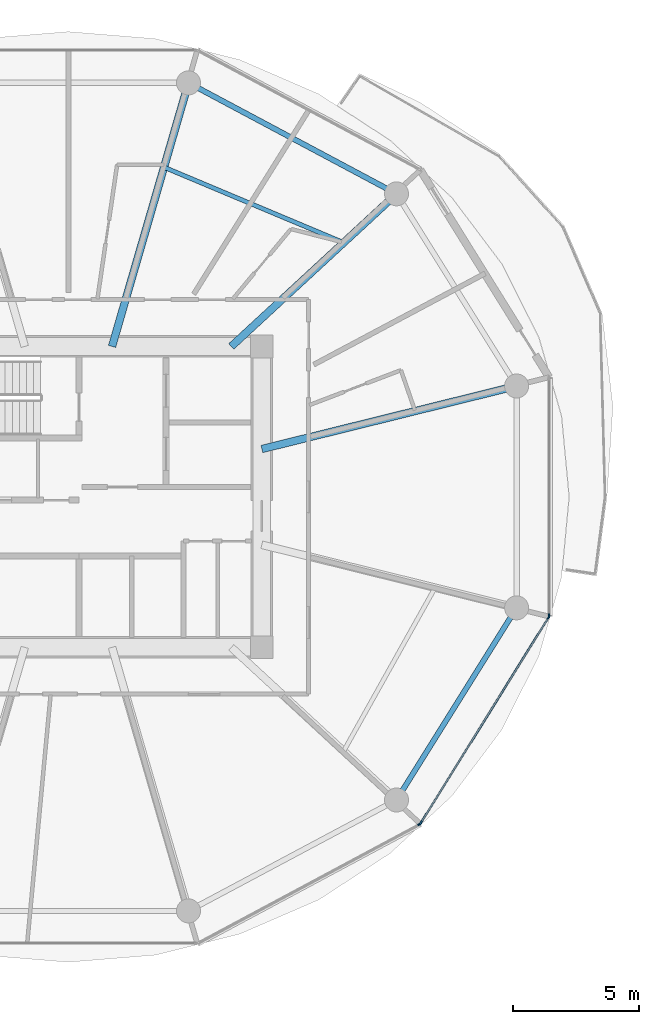
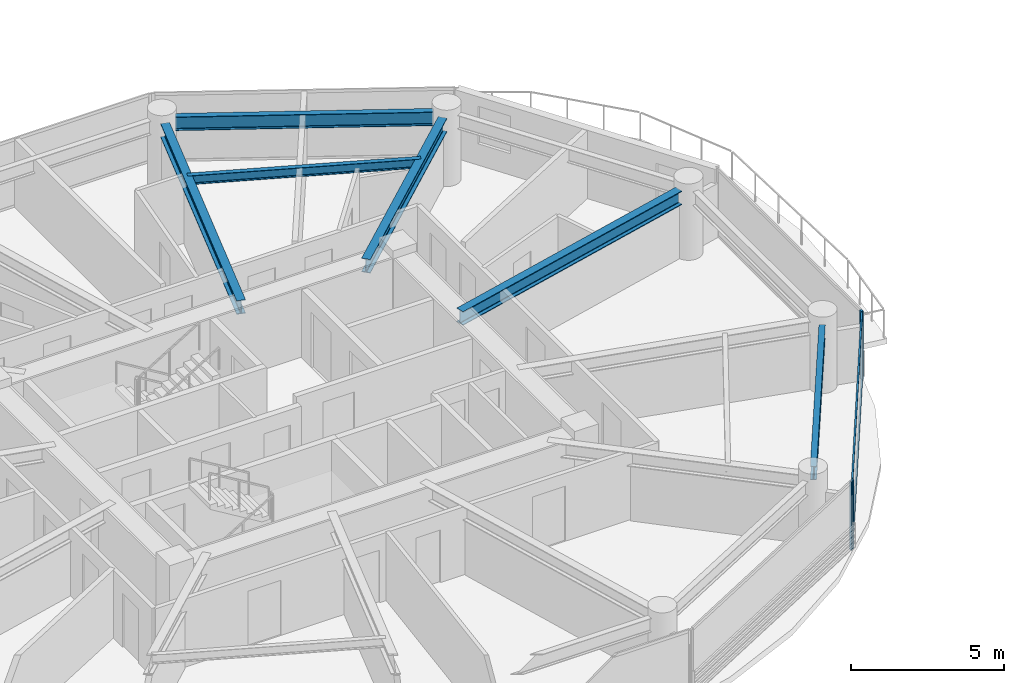
# One storey, part 5 of 26: 6 beams, 6 members, 3 elements without a shape of their own.
"""IFC4 building model written with IfcOpenShell, lengths in metres."""

from ifc_helpers import new_model, si_unit, direction, frame, origin, origin_2d, place, context, subcontext, project, spatial, rectangle, i_section, extrude, source, transform, mapped, material, layer, layer_set, material_profile, profile_set, type_object, type_shapes, element, aggregate, save


model = new_model("IFC4")

# Units and contexts
model_context = context("Model", 3, precision=1e-05, world=origin(), true_north=direction((0.0, 1.0)))
body_context = subcontext(model_context, "Body", "Model", "MODEL_VIEW")
ifc_project = project(units=[si_unit("LENGTHUNIT", "METRE"), si_unit("AREAUNIT", "SQUARE_METRE"), si_unit("VOLUMEUNIT", "CUBIC_METRE"), si_unit("PLANEANGLEUNIT", "RADIAN"), si_unit("MASSUNIT", "GRAM", prefix="KILO")], contexts=[model_context])

# Site, building, storey
site_placement = place(None, origin())
site = spatial("IfcSite", under=ifc_project, at=site_placement, CompositionType="ELEMENT")
building_placement = place(site_placement, origin())
building = spatial("IfcBuilding", under=site, at=building_placement, Name="Norrkilde Senior Care Towers", CompositionType="ELEMENT")
storey_placement = place(building_placement, frame((0.0, 0.0, 70.39990234375)))
storey = spatial("IfcBuildingStorey", under=building, at=storey_placement, Name="L21", CompositionType="ELEMENT", Elevation=70.39990234375)

# Beams
ifc_material_1 = material(Name="Steel S355", Category="steel")
ifc_material_profile_1 = material_profile(ifc_material_1, i_section(OverallWidth=0.2099609375, OverallDepth=0.550048828125, WebThickness=0.010986328125, FlangeThickness=0.01708984375, FilletRadius=0.02392578125, at=origin_2d()), Name="IPE 550")
ifc_profile_set_1 = profile_set([ifc_material_profile_1], Name="Steel S355")
beam_type_1 = type_object("IfcBeamType", Name="Perimeter Ring Spandrel Z1 IPE550", PredefinedType="SPANDREL", material=ifc_profile_set_1)
shared_shape_1 = source(origin(), body_context, "Body", "SweptSolid", [
    extrude(i_section(OverallWidth=0.2099609375, OverallDepth=0.550048828125, WebThickness=0.010986328125, FlangeThickness=0.01708984375, FilletRadius=0.02392578125, at=origin_2d()), origin(), (0.0, 0.0, 1.0), 8.090576171875),
])
beam_1_placement = place(storey_placement, frame((-14.7939453125, -11.61669921875, 2.455078125), z_axis=(0.530004364821, 0.84799491347, 0.0), x_axis=(-0.84799491347, 0.530004364821, 0.0)))
element("IfcBeam", 1, at=beam_1_placement, inside=storey, type_object=beam_type_1, Name="L21 Drum W Perimeter Spandrel 11", PredefinedType="SPANDREL", context=body_context, shape_type="MappedRepresentation", body=[
    mapped(shared_shape_1, transform((0.0, 0.0, 0.0), x_axis=(1.0, 0.0, 0.0), y_axis=(0.0, 1.0, 0.0), z_axis=(0.0, 0.0, 1.0), scale=1.0)),
])
ifc_material_profile_2 = material_profile(ifc_material_1, i_section(OverallWidth=0.300048828125, OverallDepth=0.550048828125, WebThickness=0.014892578125, FlangeThickness=0.029052734375, FilletRadius=0.027099609375, at=origin_2d()), Name="HEB 550")
ifc_profile_set_2 = profile_set([ifc_material_profile_2], Name="Steel S355")
beam_type_2 = type_object("IfcBeamType", Name="Radial Floor Beam Z1 HEB550", PredefinedType="BEAM", material=ifc_profile_set_2)
shared_shape_2 = source(origin(), body_context, "Body", "SweptSolid", [
    extrude(i_section(OverallWidth=0.300048828125, OverallDepth=0.550048828125, WebThickness=0.014892578125, FlangeThickness=0.029052734375, FilletRadius=0.027099609375, at=origin_2d()), origin(), (0.0, 0.0, 1.0), 9.94384765625),
])
beam_2_placement = place(storey_placement, frame((-20.35009765625, 1.893310546875, 2.455078125), z_axis=(0.970707425182, 0.240264634718, 0.0), x_axis=(-0.240264634718, 0.970707425182, 0.0)))
element("IfcBeam", 2, at=beam_2_placement, inside=storey, type_object=beam_type_2, Name="L21 Drum W Radial Floor Beam 01", PredefinedType="BEAM", context=body_context, shape_type="MappedRepresentation", body=[
    mapped(shared_shape_2, transform((0.0, 0.0, 0.0), x_axis=(1.0, 0.0, 0.0), y_axis=(0.0, 1.0, 0.0), z_axis=(0.0, 0.0, 1.0), scale=1.0)),
])
shared_shape_3 = source(origin(), body_context, "Body", "SweptSolid", [
    extrude(i_section(OverallWidth=0.2099609375, OverallDepth=0.550048828125, WebThickness=0.010986328125, FlangeThickness=0.01708984375, FilletRadius=0.02392578125, at=origin_2d()), origin(), (0.0, 0.0, 1.0), 8.452880859375),
])
type_shapes(beam_type_1, [shared_shape_1, shared_shape_3])
beam_3_placement = place(storey_placement, frame((-15.408447265625, 12.190185546875, 2.455078125), z_axis=(-0.882368931134, 0.470558252898, 0.0), x_axis=(-0.470558252898, -0.882368931134, 0.0)))
element("IfcBeam", 3, at=beam_3_placement, inside=storey, type_object=beam_type_1, Name="L21 Drum W Perimeter Spandrel 02", PredefinedType="SPANDREL", context=body_context, shape_type="MappedRepresentation", body=[
    mapped(shared_shape_3, transform((0.0, 0.0, 0.0), x_axis=(1.0, 0.0, 0.0), y_axis=(0.0, 1.0, 0.0), z_axis=(0.0, 0.0, 1.0), scale=1.0)),
])
shared_shape_4 = source(origin(), body_context, "Body", "SweptSolid", [
    extrude(i_section(OverallWidth=0.300048828125, OverallDepth=0.550048828125, WebThickness=0.014892578125, FlangeThickness=0.029052734375, FilletRadius=0.027099609375, at=origin_2d()), origin(), (0.0, 0.0, 1.0), 8.459716796875),
])
beam_4_placement = place(storey_placement, frame((-21.55859375, 5.949951171875, 2.455078125), z_axis=(0.734573269108, 0.678529374686, 0.0), x_axis=(-0.678529374686, 0.734573269108, 0.0)))
element("IfcBeam", 4, at=beam_4_placement, inside=storey, type_object=beam_type_2, Name="L21 Drum W Radial Floor Beam 02", PredefinedType="BEAM", context=body_context, shape_type="MappedRepresentation", body=[
    mapped(shared_shape_4, transform((0.0, 0.0, 0.0), x_axis=(1.0, 0.0, 0.0), y_axis=(0.0, 1.0, 0.0), z_axis=(0.0, 0.0, 1.0), scale=1.0)),
])
shared_shape_5 = source(origin(), body_context, "Body", "SweptSolid", [
    extrude(i_section(OverallWidth=0.300048828125, OverallDepth=0.550048828125, WebThickness=0.014892578125, FlangeThickness=0.029052734375, FilletRadius=0.027099609375, at=origin_2d()), origin(), (0.0, 0.0, 1.0), 10.4169921875),
])
type_shapes(beam_type_2, [shared_shape_2, shared_shape_4, shared_shape_5])
beam_5_placement = place(storey_placement, frame((-26.27392578125, 5.949951171875, 2.455078125), z_axis=(0.278591250785, 0.960409764104, 0.0), x_axis=(-0.960409764104, 0.278591250785, 0.0)))
element("IfcBeam", 5, at=beam_5_placement, inside=storey, type_object=beam_type_2, Name="L21 Drum W Radial Floor Beam 03", PredefinedType="BEAM", context=body_context, shape_type="MappedRepresentation", body=[
    mapped(shared_shape_5, transform((0.0, 0.0, 0.0), x_axis=(1.0, 0.0, 0.0), y_axis=(0.0, 1.0, 0.0), z_axis=(0.0, 0.0, 1.0), scale=1.0)),
])
ifc_material_profile_3 = material_profile(ifc_material_1, i_section(OverallWidth=0.169921875, OverallDepth=0.360107421875, WebThickness=0.008056640625, FlangeThickness=0.0126953125, FilletRadius=0.01806640625, at=origin_2d()), Name="IPE 360")
ifc_profile_set_3 = profile_set([ifc_material_profile_3], Name="Steel S355")
beam_type_3 = type_object("IfcBeamType", Name="Secondary Floor Joist IPE360", PredefinedType="JOIST", material=ifc_profile_set_3)
shared_shape_6 = source(origin(), body_context, "Body", "SweptSolid", [
    extrude(i_section(OverallWidth=0.169921875, OverallDepth=0.360107421875, WebThickness=0.008056640625, FlangeThickness=0.0126953125, FilletRadius=0.01806640625, at=origin_2d()), origin(), (0.0, 0.0, 1.0), 7.703857421875),
])
type_shapes(beam_type_3, [shared_shape_6])
beam_6_placement = place(storey_placement, frame((-17.115478515625, 10.05419921875, 2.550048828125), z_axis=(-0.921982784465, 0.387230868023, 0.0), x_axis=(-0.387230868023, -0.921982784465, 0.0)))
element("IfcBeam", 6, at=beam_6_placement, inside=storey, type_object=beam_type_3, Name="L21 Drum W Secondary Floor Joist 1", PredefinedType="JOIST", context=body_context, shape_type="MappedRepresentation", body=[
    mapped(shared_shape_6, transform((0.0, 0.0, 0.0), x_axis=(1.0, 0.0, 0.0), y_axis=(0.0, 1.0, 0.0), z_axis=(0.0, 0.0, 1.0), scale=1.0)),
])

# Curtain wall, members
ifc_material_2 = material(Name="Triple Low-E Insulated Glazing", Category="glass")
ifc_layer = layer(ifc_material_2, 0.199951171875)
ifc_layer_set = layer_set([ifc_layer], Name="Triple Low-E Insulated Glazing")
curtain_wall_type = type_object("IfcCurtainWallType", Name="CW2 Zone 1 Memory Care Curtain Wall", PredefinedType="NOTDEFINED", material=ifc_layer_set)
curtain_wall_1_placement = place(storey_placement, origin())
curtain_wall_1 = element("IfcCurtainWall", 7, at=curtain_wall_1_placement, inside=storey, type_object=curtain_wall_type, Name="L21 Drum W Curtain Wall 10", PredefinedType="NOTDEFINED")
ifc_material_3 = material(Name="Anodised Aluminium", Category="aluminium")
ifc_material_profile_4 = material_profile(ifc_material_3, rectangle(XDim=0.06005859375, YDim=0.1201171875, at=origin_2d()), Name="ALU TRAN 60x120")
ifc_profile_set_4 = profile_set([ifc_material_profile_4], Name="Anodised Aluminium")
member_type_1 = type_object("IfcMemberType", Name="Curtain Wall Transom Typical 60x120", PredefinedType="USERDEFINED", material=ifc_profile_set_4)
shared_shape_7 = source(origin(), body_context, "Body", "SweptSolid", [
    extrude(rectangle(XDim=0.06005859375, YDim=0.1201171875, at=origin_2d()), origin(), (0.0, 0.0, 1.0), 9.5185546875),
])
type_shapes(member_type_1, [shared_shape_7])
member_1_placement = place(storey_placement, frame((-9.02490234375, -4.786376953125, 0.030029296875), z_axis=(-0.527901620669, -0.849305527413, 0.0), x_axis=(0.849305527413, -0.527901620669, 0.0)))
member_1 = element("IfcMember", 8, at=member_1_placement, type_object=member_type_1, Name="CW-2 transom 1.1", ObjectType="TRANSOM", PredefinedType="USERDEFINED", context=body_context, shape_type="MappedRepresentation", body=[
    mapped(shared_shape_7, transform((0.0, 0.0, 0.0), x_axis=(1.0, 0.0, 0.0), y_axis=(0.0, 1.0, 0.0), z_axis=(0.0, 0.0, 1.0), scale=1.0)),
])
member_2_placement = place(storey_placement, frame((-9.02490234375, -4.786376953125, 2.7001953125), z_axis=(-0.527901620669, -0.849305527413, 0.0), x_axis=(0.849305527413, -0.527901620669, 0.0)))
member_2 = element("IfcMember", 9, at=member_2_placement, type_object=member_type_1, Name="CW-2 transom 1.2", ObjectType="TRANSOM", PredefinedType="USERDEFINED", context=body_context, shape_type="MappedRepresentation", body=[
    mapped(shared_shape_7, transform((0.0, 0.0, 0.0), x_axis=(1.0, 0.0, 0.0), y_axis=(0.0, 1.0, 0.0), z_axis=(0.0, 0.0, 1.0), scale=1.0)),
])

# Curtain wall, member
curtain_wall_2_placement = place(storey_placement, origin())
curtain_wall_2 = element("IfcCurtainWall", 10, at=curtain_wall_2_placement, inside=storey, type_object=curtain_wall_type, Name="L21 Drum W Curtain Wall 09", PredefinedType="NOTDEFINED")
ifc_material_profile_5 = material_profile(ifc_material_3, rectangle(XDim=0.06494140625, YDim=0.159912109375, at=origin_2d()), Name="ALU MULL 65x160")
ifc_profile_set_5 = profile_set([ifc_material_profile_5], Name="Anodised Aluminium")
member_type_2 = type_object("IfcMemberType", Name="Curtain Wall Mullion Z1-Z2 65x160", PredefinedType="MULLION", material=ifc_profile_set_5)
shared_shape_8 = source(origin(), body_context, "Body", "SweptSolid", [
    extrude(rectangle(XDim=0.06494140625, YDim=0.159912109375, at=origin_2d()), origin(), (0.0, 0.0, 1.0), 2.72998046875),
])
type_shapes(member_type_2, [shared_shape_8])
member_3_placement = place(storey_placement, frame((-14.11279296875, -12.941162109375, 0.0), z_axis=(0.0, 0.0, 1.0), x_axis=(0.472607802456, -0.881272866403, 0.0)))
member_3 = element("IfcMember", 11, at=member_3_placement, type_object=member_type_2, Name="CW-2 mullion 1", PredefinedType="MULLION", context=body_context, shape_type="MappedRepresentation", body=[
    mapped(shared_shape_8, transform((0.0, 0.0, 0.0), x_axis=(1.0, 0.0, 0.0), y_axis=(0.0, 1.0, 0.0), z_axis=(0.0, 0.0, 1.0), scale=1.0)),
])
aggregate(curtain_wall_2, [member_3])

# Member
member_4_placement = place(storey_placement, frame((-9.0078125, -4.7587890625, 0.0), z_axis=(0.0, 0.0, 1.0), x_axis=(0.849305943117, -0.527900951871, 0.0)))
member_4 = element("IfcMember", 12, at=member_4_placement, type_object=member_type_2, Name="CW-2 mullion 1", PredefinedType="MULLION", context=body_context, shape_type="MappedRepresentation", body=[
    mapped(shared_shape_8, transform((0.0, 0.0, 0.0), x_axis=(1.0, 0.0, 0.0), y_axis=(0.0, 1.0, 0.0), z_axis=(0.0, 0.0, 1.0), scale=1.0)),
])

member_5_placement = place(storey_placement, frame((-14.06689453125, -12.898193359375, 0.0), z_axis=(0.0, 0.0, 1.0), x_axis=(0.849305943117, -0.527900951871, 0.0)))
member_5 = element("IfcMember", 13, at=member_5_placement, type_object=member_type_2, Name="CW-2 mullion 2", PredefinedType="MULLION", context=body_context, shape_type="MappedRepresentation", body=[
    mapped(shared_shape_8, transform((0.0, 0.0, 0.0), x_axis=(1.0, 0.0, 0.0), y_axis=(0.0, 1.0, 0.0), z_axis=(0.0, 0.0, 1.0), scale=1.0)),
])

aggregate(curtain_wall_1, [member_4, member_5, member_1, member_2])

# Curtain wall, member
curtain_wall_3_placement = place(storey_placement, origin())
curtain_wall_3 = element("IfcCurtainWall", 14, at=curtain_wall_3_placement, inside=storey, type_object=curtain_wall_type, Name="L21 Drum W Curtain Wall 11", PredefinedType="NOTDEFINED")
member_6_placement = place(storey_placement, frame((-8.990478515625, -4.69873046875, 0.0), z_axis=(0.0, 0.0, 1.0), x_axis=(1.0, 0.0, 0.0)))
member_6 = element("IfcMember", 15, at=member_6_placement, type_object=member_type_2, Name="CW-2 mullion 2", PredefinedType="MULLION", context=body_context, shape_type="MappedRepresentation", body=[
    mapped(shared_shape_8, transform((0.0, 0.0, 0.0), x_axis=(1.0, 0.0, 0.0), y_axis=(0.0, 1.0, 0.0), z_axis=(0.0, 0.0, 1.0), scale=1.0)),
])
aggregate(curtain_wall_3, [member_6])

save(model, "model.ifc")
